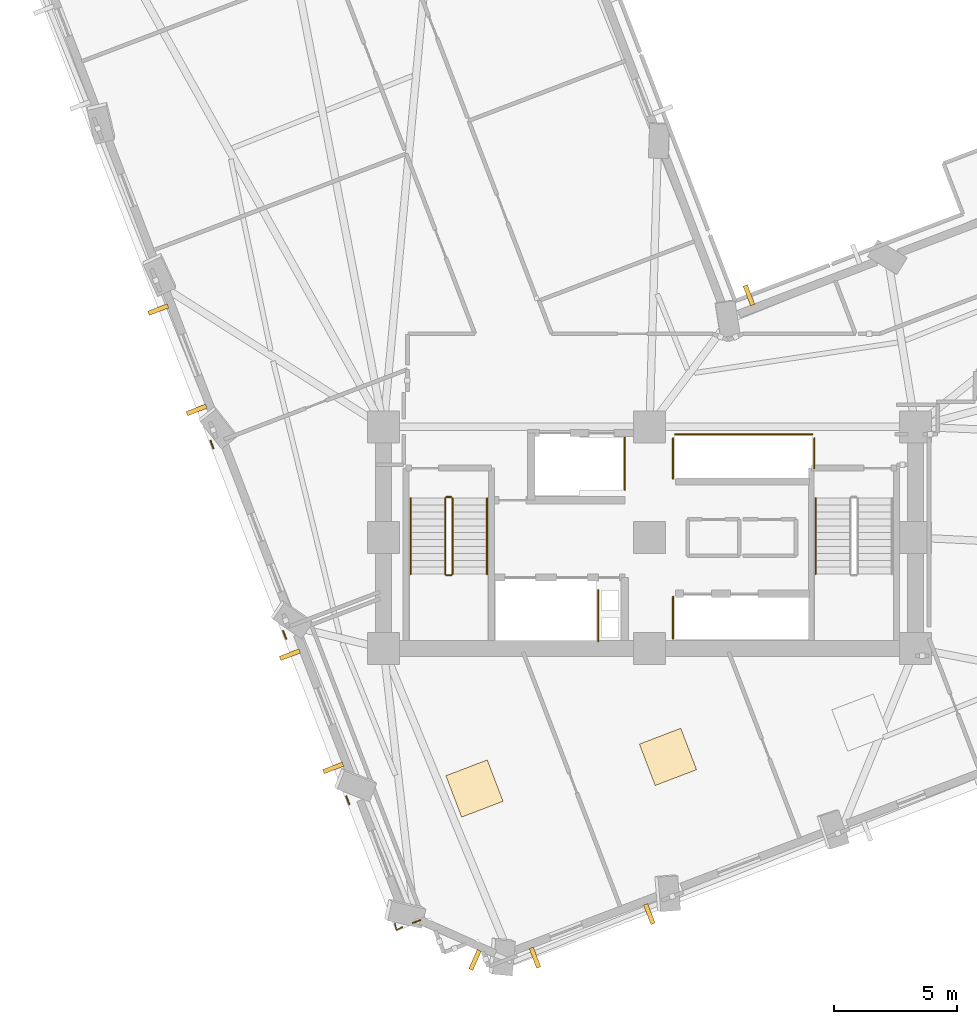
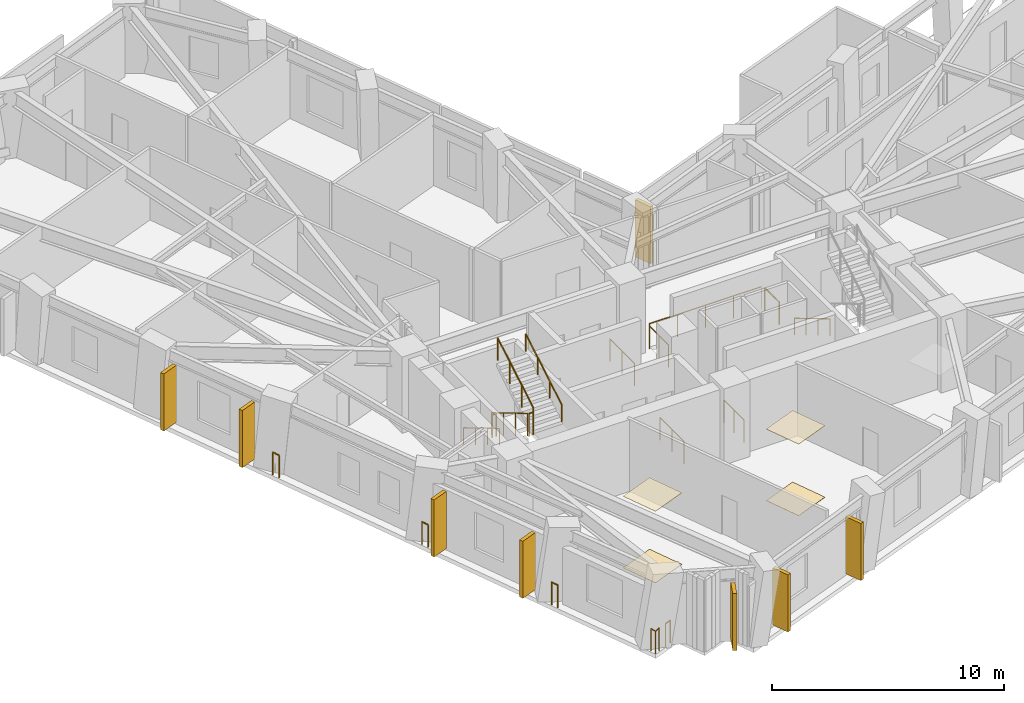
# One storey, part 13 of 15: 18 railings, 8 shading devices, 4 coverings.
"""IFC4 building model written with IfcOpenShell, lengths in metres."""

from ifc_helpers import new_model, si_unit, direction, frame, origin, origin_2d, place, context, subcontext, project, spatial, rectangle, circle, extrude, material, layer, layer_set, type_object, element, save


model = new_model("IFC4")

# Units and contexts
model_context = context("Model", 3, precision=1e-05, world=origin(), true_north=direction((0.0, 1.0)))
body_context = subcontext(model_context, "Body", "Model", "MODEL_VIEW")
ifc_project = project(units=[si_unit("LENGTHUNIT", "METRE"), si_unit("AREAUNIT", "SQUARE_METRE"), si_unit("VOLUMEUNIT", "CUBIC_METRE"), si_unit("PLANEANGLEUNIT", "RADIAN"), si_unit("MASSUNIT", "GRAM", prefix="KILO")], contexts=[model_context])

# Site, building, storey
site_placement = place(None, origin())
site = spatial("IfcSite", under=ifc_project, at=site_placement, CompositionType="ELEMENT")
building_placement = place(site_placement, origin())
building = spatial("IfcBuilding", under=site, at=building_placement, Name="Gaonmaruhae Medical Tower", CompositionType="ELEMENT")
storey_placement = place(building_placement, frame((0.0, 0.0, 112.39990234375)))
storey = spatial("IfcBuildingStorey", under=building, at=storey_placement, Name="L26", CompositionType="ELEMENT", Elevation=112.39990234375)

# Coverings
ifc_material_1 = material(Name="Acoustic mineral ceiling tile", Category="finish")
ifc_layer_1 = layer(ifc_material_1, 0.02490234375)
ifc_layer_set_1 = layer_set([ifc_layer_1], Name="Acoustic mineral ceiling tile")
covering_type_1 = type_object("IfcCoveringType", Name="CLG-01 Antimicrobial Acoustic Mineral Ceiling", PredefinedType="CEILING", material=ifc_layer_set_1)
for number, where, z_axis, x_axis, name in (
    (1, (17.6923828125, 2.11083984375, 3.755126953125), (0.0, 0.0, 1.0), (0.934204474321, 0.35673799932, 0.0), "L26 Clinical Room Acoustic Ceiling 2"),
    (2, (25.55126953125, 3.395263671875, 3.755126953125), (0.0, 0.0, 1.0), (0.934204474321, 0.35673799932, 0.0), "L26 Clinical Room Acoustic Ceiling 3"),
):
    element("IfcCovering", number, at=place(storey_placement, frame(where, z_axis=z_axis, x_axis=x_axis)), inside=storey, type_object=covering_type_1, Name=name, PredefinedType="CEILING", context=body_context, shape_type="SweptSolid", body=[
        extrude(rectangle(XDim=1.800048828125, YDim=1.800048828125, at=origin_2d()), origin(), (0.0, 0.0, 1.0), 0.02490234375),
    ])
ifc_material_2 = material(Name="Seamless clinical vinyl flooring", Category="finish")
ifc_layer_2 = layer(ifc_material_2, 0.014892578125)
ifc_layer_set_2 = layer_set([ifc_layer_2], Name="Seamless clinical vinyl flooring")
covering_type_2 = type_object("IfcCoveringType", Name="FLR-01 Seamless Clinical Antistatic Vinyl Flooring", PredefinedType="FLOORING", material=ifc_layer_set_2)
for number, where, z_axis, x_axis, name in (
    (3, (17.6923828125, 2.11083984375, 0.0), (0.0, 0.0, 1.0), (0.934204474321, 0.35673799932, 0.0), "L26 Clinical Room Vinyl Flooring 2"),
    (4, (25.55126953125, 3.395263671875, 0.0), (0.0, 0.0, 1.0), (0.934204474321, 0.35673799932, 0.0), "L26 Clinical Room Vinyl Flooring 3"),
):
    element("IfcCovering", number, at=place(storey_placement, frame(where, z_axis=z_axis, x_axis=x_axis)), inside=storey, type_object=covering_type_2, Name=name, PredefinedType="FLOORING", context=body_context, shape_type="SweptSolid", body=[
        extrude(rectangle(XDim=1.800048828125, YDim=1.800048828125, at=origin_2d()), origin(), (0.0, 0.0, 1.0), 0.014892578125),
    ])

# Railings
ifc_material_3 = material(Name="Stainless steel 316L and laminated safety glass", Category="steel")
ifc_layer_3 = layer(ifc_material_3, 0.080078125)
ifc_layer_set_3 = layer_set([ifc_layer_3], Name="Stainless steel 316L and laminated safety glass")
railing_type_1 = type_object("IfcRailingType", Name="GD-120 Outdoor Terrace Safety Glass & Steel Balustrade", PredefinedType="BALUSTRADE", material=ifc_layer_set_3)
railing_1_placement = place(storey_placement, frame((15.48974609375, -3.235107421875, 0.0)))
element("IfcRailing", 5, at=railing_1_placement, inside=storey, type_object=railing_type_1, Name="L26 Perimeter Slab Edge Safety Balustrade 04", PredefinedType="BALUSTRADE", context=body_context, shape_type="SweptSolid", body=[
    extrude(circle(Radius=0.02392578125, at=origin_2d()), frame((0.0, 0.0, 1.17578125), z_axis=(-0.934037171443, -0.35717581436, 0.0), x_axis=(0.35717581436, -0.934037171443, 0.0)), (0.0, 0.0, 1.0), 0.32666015625),
    extrude(circle(Radius=0.02099609375, at=origin_2d()), origin(), (0.0, 0.0, 1.0), 1.15185546875),
    extrude(circle(Radius=0.02099609375, at=origin_2d()), frame((-0.30517578125, -0.11669921875, 0.0)), (0.0, 0.0, 1.0), 1.15185546875),
])
railing_2_placement = place(storey_placement, frame((12.61083984375, 1.472412109375, 0.0)))
element("IfcRailing", 6, at=railing_2_placement, inside=storey, type_object=railing_type_1, Name="L26 Perimeter Slab Edge Safety Balustrade 05", PredefinedType="BALUSTRADE", context=body_context, shape_type="SweptSolid", body=[
    extrude(circle(Radius=0.02392578125, at=origin_2d()), frame((0.0, 0.0, 1.17578125), z_axis=(-0.356473463209, 0.934305447928, 0.0), x_axis=(-0.934305447928, -0.356473463209, 0.0)), (0.0, 0.0, 1.0), 0.339599609375),
    extrude(circle(Radius=0.02099609375, at=origin_2d()), origin(), (0.0, 0.0, 1.0), 1.15185546875),
    extrude(circle(Radius=0.02099609375, at=origin_2d()), frame((-0.12109375, 0.3173828125, 0.0)), (0.0, 0.0, 1.0), 1.15185546875),
])
for number, where, name in (
    (7, (10.044921875, 8.1923828125, 0.0), "L26 Perimeter Slab Edge Safety Balustrade 06"),
    (8, (7.09375, 15.92041015625, 0.0), "L26 Perimeter Slab Edge Safety Balustrade 07"),
):
    element("IfcRailing", number, at=place(storey_placement, frame(where)), inside=storey, type_object=railing_type_1, Name=name, PredefinedType="BALUSTRADE", context=body_context, shape_type="SweptSolid", body=[
        extrude(circle(Radius=0.02392578125, at=origin_2d()), frame((0.0, 0.0, 1.17578125), z_axis=(-0.357100591397, 0.934065933232, 0.0), x_axis=(-0.934065933232, -0.357100591397, 0.0)), (0.0, 0.0, 1.0), 0.33984375),
        extrude(circle(Radius=0.02099609375, at=origin_2d()), origin(), (0.0, 0.0, 1.0), 1.15185546875),
        extrude(circle(Radius=0.02099609375, at=origin_2d()), frame((-0.121337890625, 0.3173828125, 0.0)), (0.0, 0.0, 1.0), 1.15185546875),
    ])
railing_3_placement = place(storey_placement, frame((14.77978515625, -3.50634765625, 0.0)))
element("IfcRailing", 9, at=railing_3_placement, inside=storey, type_object=railing_type_1, Name="L26 Perimeter Corner Safety Balustrade 11", PredefinedType="BALUSTRADE", context=body_context, shape_type="SweptSolid", body=[
    extrude(circle(Radius=0.02392578125, at=origin_2d()), frame((0.0, 0.0, 1.17578125), z_axis=(-0.88399458555, -0.467497136589, 0.0), x_axis=(0.467497136589, -0.88399458555, 0.0)), (0.0, 0.0, 1.0), 0.287109375),
    extrude(circle(Radius=0.02392578125, at=origin_2d()), frame((-0.25390625, -0.13427734375, 1.17578125), z_axis=(-0.24073383135, 0.970591171629, 0.0), x_axis=(-0.970591171629, -0.24073383135, 0.0)), (0.0, 0.0, 1.0), 0.287109375),
    extrude(circle(Radius=0.02099609375, at=origin_2d()), origin(), (0.0, 0.0, 1.0), 1.15185546875),
    extrude(circle(Radius=0.02099609375, at=origin_2d()), frame((-0.25390625, -0.13427734375, 0.0)), (0.0, 0.0, 1.0), 1.15185546875),
    extrude(circle(Radius=0.02099609375, at=origin_2d()), frame((-0.322998046875, 0.144287109375, 0.0)), (0.0, 0.0, 1.0), 1.15185546875),
])
ifc_material_4 = material(Name="Stainless steel 304 handrail", Category="steel")
railing_type_2 = type_object("IfcRailingType", Name="HR-092 Continuous Stainless Steel Stair Handrail", PredefinedType="HANDRAIL", material=ifc_material_4)
railing_4_placement = place(storey_placement, frame((15.10009765625, 13.89990234375, 0.166748046875)))
element("IfcRailing", 10, at=railing_4_placement, inside=storey, type_object=railing_type_2, Name="L26 ST-01 stair handrail 1", PredefinedType="HANDRAIL", context=body_context, shape_type="SweptSolid", body=[
    extrude(circle(Radius=0.02392578125, at=origin_2d()), frame((0.0, 0.0, 0.8759765625), z_axis=(0.0, -0.859290745958, 0.51148745235), x_axis=(1.0, 0.0, 0.0)), (0.0, 0.0, 1.0), 3.584228515625),
    extrude(circle(Radius=0.02099609375, at=origin_2d()), origin(), (0.0, 0.0, 1.0), 0.851806640625),
    extrude(circle(Radius=0.02099609375, at=origin_2d()), frame((0.0, -1.026611328125, 0.611083984375)), (0.0, 0.0, 1.0), 0.851806640625),
    extrude(circle(Radius=0.02099609375, at=origin_2d()), frame((0.0, -2.05322265625, 1.22216796875)), (0.0, 0.0, 1.0), 0.851806640625),
    extrude(circle(Radius=0.02099609375, at=origin_2d()), frame((0.0, -3.079833984375, 1.833251953125)), (0.0, 0.0, 1.0), 0.851806640625),
])
railing_5_placement = place(storey_placement, frame((18.199951171875, 10.820068359375, 2.166748046875)))
element("IfcRailing", 11, at=railing_5_placement, inside=storey, type_object=railing_type_2, Name="L26 ST-01 stair handrail 2", PredefinedType="HANDRAIL", context=body_context, shape_type="SweptSolid", body=[
    extrude(circle(Radius=0.02392578125, at=origin_2d()), frame((0.0, 0.0, 0.8759765625), z_axis=(0.0, 0.859290745958, 0.51148745235), x_axis=(-1.0, 0.0, 0.0)), (0.0, 0.0, 1.0), 3.584228515625),
    extrude(circle(Radius=0.02099609375, at=origin_2d()), origin(), (0.0, 0.0, 1.0), 0.851806640625),
    extrude(circle(Radius=0.02099609375, at=origin_2d()), frame((0.0, 1.026611328125, 0.611083984375)), (0.0, 0.0, 1.0), 0.851806640625),
    extrude(circle(Radius=0.02099609375, at=origin_2d()), frame((0.0, 2.05322265625, 1.22216796875)), (0.0, 0.0, 1.0), 0.851806640625),
    extrude(circle(Radius=0.02099609375, at=origin_2d()), frame((0.0, 3.079833984375, 1.833251953125)), (0.0, 0.0, 1.0), 0.851806640625),
])
railing_6_placement = place(storey_placement, frame((31.550048828125, 13.89990234375, 0.166748046875)))
element("IfcRailing", 12, at=railing_6_placement, inside=storey, type_object=railing_type_2, Name="L26 ST-02 stair handrail 1", PredefinedType="HANDRAIL", context=body_context, shape_type="SweptSolid", body=[
    extrude(circle(Radius=0.02392578125, at=origin_2d()), frame((0.0, 0.0, 0.8759765625), z_axis=(0.0, -0.859290745958, 0.51148745235), x_axis=(1.0, 0.0, 0.0)), (0.0, 0.0, 1.0), 3.584228515625),
    extrude(circle(Radius=0.02099609375, at=origin_2d()), origin(), (0.0, 0.0, 1.0), 0.851806640625),
    extrude(circle(Radius=0.02099609375, at=origin_2d()), frame((0.0, -1.026611328125, 0.611083984375)), (0.0, 0.0, 1.0), 0.851806640625),
    extrude(circle(Radius=0.02099609375, at=origin_2d()), frame((0.0, -2.05322265625, 1.22216796875)), (0.0, 0.0, 1.0), 0.851806640625),
    extrude(circle(Radius=0.02099609375, at=origin_2d()), frame((0.0, -3.079833984375, 1.833251953125)), (0.0, 0.0, 1.0), 0.851806640625),
])

# Shading devices
ifc_material_5 = material(Name="Pigmented coral precast concrete C45/55", Category="concrete")
shading_device_type = type_object("IfcShadingDeviceType", Name="SD-FIN1 Tower Vertical Coral Precast Shading Fin", PredefinedType="USERDEFINED", material=ifc_material_5)
for number, where, z_axis, x_axis, name in (
    (13, (24.79248046875, -2.985107421875, 0.08251953125), (0.0, 0.0, 1.0), (-0.934198247926, -0.356754304209, 0.0), "L26 Vertical Coral Precast Shading Fin S01"),
    (14, (20.1494140625, -4.758056640625, 0.08251953125), (0.0, 0.0, 1.0), (-0.934198247926, -0.356754304209, 0.0), "L26 Vertical Coral Precast Shading Fin S01B"),
    (15, (28.83984375, 22.14208984375, 0.08251953125), (0.0, 0.0, 1.0), (0.934204474321, 0.35673799932, 0.0), "L26 Vertical Coral Precast Shading Fin EN03"),
    (16, (6.405029296875, 17.485595703125, 0.08251953125), (0.0, 0.0, 1.0), (-0.35673799932, 0.934204474321, 0.0), "L26 Vertical Coral Precast Shading Fin W03"),
    (17, (4.848876953125, 21.560791015625, 0.08251953125), (0.0, 0.0, 1.0), (-0.35673799932, 0.934204474321, 0.0), "L26 Vertical Coral Precast Shading Fin W03B"),
    (18, (11.95654296875, 2.947509765625, 0.08251953125), (0.0, 0.0, 1.0), (-0.35673799932, 0.934204474321, 0.0), "L26 Vertical Coral Precast Shading Fin W05"),
    (19, (10.2001953125, 7.546875, 0.08251953125), (0.0, 0.0, 1.0), (-0.35673799932, 0.934204474321, 0.0), "L26 Vertical Coral Precast Shading Fin W05B"),
    (20, (17.7158203125, -4.849853515625, 0.08251953125), (0.0, 0.0, 1.0), (-0.912834177233, 0.408330460381, 0.0), "L26 Vertical Coral Precast Shading Fin W07"),
):
    element("IfcShadingDevice", number, at=place(storey_placement, frame(where, z_axis=z_axis, x_axis=x_axis)), inside=storey, type_object=shading_device_type, Name=name, ObjectType="FIN", PredefinedType="USERDEFINED", context=body_context, shape_type="SweptSolid", body=[
        extrude(rectangle(XDim=0.179931640625, YDim=0.85009765625, at=origin_2d()), origin(), (0.0, 0.0, 1.0), 3.0),
    ])

# Railings
ifc_material_6 = material(Name="Stainless steel 304 balustrade", Category="steel")
railing_type_3 = type_object("IfcRailingType", Name="SG-112 Stair Well & Ramp Void Safety Balustrade", PredefinedType="BALUSTRADE", material=ifc_material_6)
railing_7_placement = place(storey_placement, frame((16.5, 13.89990234375, 0.166748046875)))
element("IfcRailing", 21, at=railing_7_placement, inside=storey, type_object=railing_type_3, Name="L26 ST-01 stair guard 1", PredefinedType="BALUSTRADE", context=body_context, shape_type="SweptSolid", body=[
    extrude(circle(Radius=0.02392578125, at=origin_2d()), frame((0.0, 0.0, 1.17578125), z_axis=(0.0, -0.859290745958, 0.51148745235), x_axis=(1.0, 0.0, 0.0)), (0.0, 0.0, 1.0), 3.584228515625),
    extrude(circle(Radius=0.02099609375, at=origin_2d()), origin(), (0.0, 0.0, 1.0), 1.15185546875),
    extrude(circle(Radius=0.02099609375, at=origin_2d()), frame((0.0, -1.026611328125, 0.611083984375)), (0.0, 0.0, 1.0), 1.15185546875),
    extrude(circle(Radius=0.02099609375, at=origin_2d()), frame((0.0, -2.05322265625, 1.22216796875)), (0.0, 0.0, 1.0), 1.15185546875),
    extrude(circle(Radius=0.02099609375, at=origin_2d()), frame((0.0, -3.079833984375, 1.833251953125)), (0.0, 0.0, 1.0), 1.15185546875),
])
railing_8_placement = place(storey_placement, frame((16.550048828125, 10.77001953125, 2.0)))
element("IfcRailing", 22, at=railing_8_placement, inside=storey, type_object=railing_type_3, Name="L26 ST-01 stair guard 2", PredefinedType="BALUSTRADE", context=body_context, shape_type="SweptSolid", body=[
    extrude(circle(Radius=0.02392578125, at=origin_2d()), frame((0.0, 0.0, 1.17578125), z_axis=(1.0, 0.0, 0.0), x_axis=(0.0, 1.0, 0.0)), (0.0, 0.0, 1.0), 0.199951171875),
    extrude(circle(Radius=0.02099609375, at=origin_2d()), origin(), (0.0, 0.0, 1.0), 1.15185546875),
    extrude(circle(Radius=0.02099609375, at=origin_2d()), frame((0.199951171875, 0.0, 0.0)), (0.0, 0.0, 1.0), 1.15185546875),
])
railing_9_placement = place(storey_placement, frame((16.800048828125, 10.820068359375, 2.166748046875)))
element("IfcRailing", 23, at=railing_9_placement, inside=storey, type_object=railing_type_3, Name="L26 ST-01 stair guard 3", PredefinedType="BALUSTRADE", context=body_context, shape_type="SweptSolid", body=[
    extrude(circle(Radius=0.02392578125, at=origin_2d()), frame((0.0, 0.0, 1.17578125), z_axis=(0.0, 0.859290745958, 0.51148745235), x_axis=(-1.0, 0.0, 0.0)), (0.0, 0.0, 1.0), 3.584228515625),
    extrude(circle(Radius=0.02099609375, at=origin_2d()), origin(), (0.0, 0.0, 1.0), 1.15185546875),
    extrude(circle(Radius=0.02099609375, at=origin_2d()), frame((0.0, 1.026611328125, 0.611083984375)), (0.0, 0.0, 1.0), 1.15185546875),
    extrude(circle(Radius=0.02099609375, at=origin_2d()), frame((0.0, 2.05322265625, 1.22216796875)), (0.0, 0.0, 1.0), 1.15185546875),
    extrude(circle(Radius=0.02099609375, at=origin_2d()), frame((0.0, 3.079833984375, 1.833251953125)), (0.0, 0.0, 1.0), 1.15185546875),
])
railing_10_placement = place(storey_placement, frame((16.550048828125, 13.949951171875, 0.0)))
element("IfcRailing", 24, at=railing_10_placement, inside=storey, type_object=railing_type_3, Name="L26 ST-01 stair guard 4", PredefinedType="BALUSTRADE", context=body_context, shape_type="SweptSolid", body=[
    extrude(circle(Radius=0.02392578125, at=origin_2d()), frame((0.0, 0.0, 1.17578125), z_axis=(1.0, 0.0, 0.0), x_axis=(0.0, 1.0, 0.0)), (0.0, 0.0, 1.0), 0.199951171875),
    extrude(circle(Radius=0.02099609375, at=origin_2d()), origin(), (0.0, 0.0, 1.0), 1.15185546875),
    extrude(circle(Radius=0.02099609375, at=origin_2d()), frame((0.199951171875, 0.0, 0.0)), (0.0, 0.0, 1.0), 1.15185546875),
])
railing_11_placement = place(storey_placement, frame((25.7548828125, 8.195068359375, 0.0)))
element("IfcRailing", 25, at=railing_11_placement, inside=storey, type_object=railing_type_3, Name="L26 Shaft Edge Safety Guard 13", PredefinedType="BALUSTRADE", context=body_context, shape_type="SweptSolid", body=[
    extrude(circle(Radius=0.02392578125, at=origin_2d()), frame((0.0, 0.0, 1.17578125), z_axis=(0.0, 1.0, 0.0), x_axis=(-1.0, 0.0, 0.0)), (0.0, 0.0, 1.0), 1.7099609375),
    extrude(circle(Radius=0.02099609375, at=origin_2d()), origin(), (0.0, 0.0, 1.0), 1.15185546875),
    extrude(circle(Radius=0.02099609375, at=origin_2d()), frame((0.0, 0.85498046875, 0.0)), (0.0, 0.0, 1.0), 1.15185546875),
    extrude(circle(Radius=0.02099609375, at=origin_2d()), frame((0.0, 1.7099609375, 0.0)), (0.0, 0.0, 1.0), 1.15185546875),
])
railing_12_placement = place(storey_placement, frame((22.719970703125, 10.159912109375, 0.0)))
element("IfcRailing", 26, at=railing_12_placement, inside=storey, type_object=railing_type_3, Name="L26 Shaft Edge Safety Guard 14", PredefinedType="BALUSTRADE", context=body_context, shape_type="SweptSolid", body=[
    extrude(circle(Radius=0.02392578125, at=origin_2d()), frame((0.0, 0.0, 1.17578125), z_axis=(0.0, -1.0, 0.0), x_axis=(1.0, 0.0, 0.0)), (0.0, 0.0, 1.0), 2.06494140625),
    extrude(circle(Radius=0.02099609375, at=origin_2d()), origin(), (0.0, 0.0, 1.0), 1.15185546875),
    extrude(circle(Radius=0.02099609375, at=origin_2d()), frame((0.0, -1.032470703125, 0.0)), (0.0, 0.0, 1.0), 1.15185546875),
    extrude(circle(Radius=0.02099609375, at=origin_2d()), frame((0.0, -2.06494140625, 0.0)), (0.0, 0.0, 1.0), 1.15185546875),
])
railing_13_placement = place(storey_placement, frame((23.794921875, 16.35498046875, 0.0)))
element("IfcRailing", 27, at=railing_13_placement, inside=storey, type_object=railing_type_3, Name="L26 Shaft Edge Safety Guard 15", PredefinedType="BALUSTRADE", context=body_context, shape_type="SweptSolid", body=[
    extrude(circle(Radius=0.02392578125, at=origin_2d()), frame((0.0, 0.0, 1.17578125), z_axis=(0.0, -1.0, 0.0), x_axis=(1.0, 0.0, 0.0)), (0.0, 0.0, 1.0), 2.10986328125),
    extrude(circle(Radius=0.02099609375, at=origin_2d()), origin(), (0.0, 0.0, 1.0), 1.15185546875),
    extrude(circle(Radius=0.02099609375, at=origin_2d()), frame((0.0, -1.054931640625, 0.0)), (0.0, 0.0, 1.0), 1.15185546875),
    extrude(circle(Radius=0.02099609375, at=origin_2d()), frame((0.0, -2.10986328125, 0.0)), (0.0, 0.0, 1.0), 1.15185546875),
])
railing_14_placement = place(storey_placement, frame((25.844970703125, 16.4951171875, 0.0)))
element("IfcRailing", 28, at=railing_14_placement, inside=storey, type_object=railing_type_3, Name="L26 Shaft Edge Safety Guard 16", PredefinedType="BALUSTRADE", context=body_context, shape_type="SweptSolid", body=[
    extrude(circle(Radius=0.02392578125, at=origin_2d()), frame((0.0, 0.0, 1.17578125), z_axis=(1.0, 0.0, 0.0), x_axis=(0.0, 1.0, 0.0)), (0.0, 0.0, 1.0), 5.56005859375),
    extrude(circle(Radius=0.02099609375, at=origin_2d()), origin(), (0.0, 0.0, 1.0), 1.15185546875),
    extrude(circle(Radius=0.02099609375, at=origin_2d()), frame((1.39013671875, 0.0, 0.0)), (0.0, 0.0, 1.0), 1.15185546875),
    extrude(circle(Radius=0.02099609375, at=origin_2d()), frame((2.780029296875, 0.0, 0.0)), (0.0, 0.0, 1.0), 1.15185546875),
    extrude(circle(Radius=0.02099609375, at=origin_2d()), frame((4.169921875, 0.0, 0.0)), (0.0, 0.0, 1.0), 1.15185546875),
    extrude(circle(Radius=0.02099609375, at=origin_2d()), frame((5.56005859375, 0.0, 0.0)), (0.0, 0.0, 1.0), 1.15185546875),
])
railing_15_placement = place(storey_placement, frame((31.4951171875, 16.330078125, 0.0)))
element("IfcRailing", 29, at=railing_15_placement, inside=storey, type_object=railing_type_3, Name="L26 Shaft Edge Safety Guard 17", PredefinedType="BALUSTRADE", context=body_context, shape_type="SweptSolid", body=[
    extrude(circle(Radius=0.02392578125, at=origin_2d()), frame((0.0, 0.0, 1.17578125), z_axis=(0.0, -1.0, 0.0), x_axis=(1.0, 0.0, 0.0)), (0.0, 0.0, 1.0), 1.2099609375),
    extrude(circle(Radius=0.02099609375, at=origin_2d()), origin(), (0.0, 0.0, 1.0), 1.15185546875),
    extrude(circle(Radius=0.02099609375, at=origin_2d()), frame((0.0, -1.2099609375, 0.0)), (0.0, 0.0, 1.0), 1.15185546875),
])
railing_16_placement = place(storey_placement, frame((25.7548828125, 14.695068359375, 0.0)))
element("IfcRailing", 30, at=railing_16_placement, inside=storey, type_object=railing_type_3, Name="L26 Shaft Edge Safety Guard 18", PredefinedType="BALUSTRADE", context=body_context, shape_type="SweptSolid", body=[
    extrude(circle(Radius=0.02392578125, at=origin_2d()), frame((0.0, 0.0, 1.17578125), z_axis=(0.0, 1.0, 0.0), x_axis=(-1.0, 0.0, 0.0)), (0.0, 0.0, 1.0), 1.635009765625),
    extrude(circle(Radius=0.02099609375, at=origin_2d()), origin(), (0.0, 0.0, 1.0), 1.15185546875),
    extrude(circle(Radius=0.02099609375, at=origin_2d()), frame((0.0, 0.8173828125, 0.0)), (0.0, 0.0, 1.0), 1.15185546875),
    extrude(circle(Radius=0.02099609375, at=origin_2d()), frame((0.0, 1.635009765625, 0.0)), (0.0, 0.0, 1.0), 1.15185546875),
])

save(model, "model.ifc")
